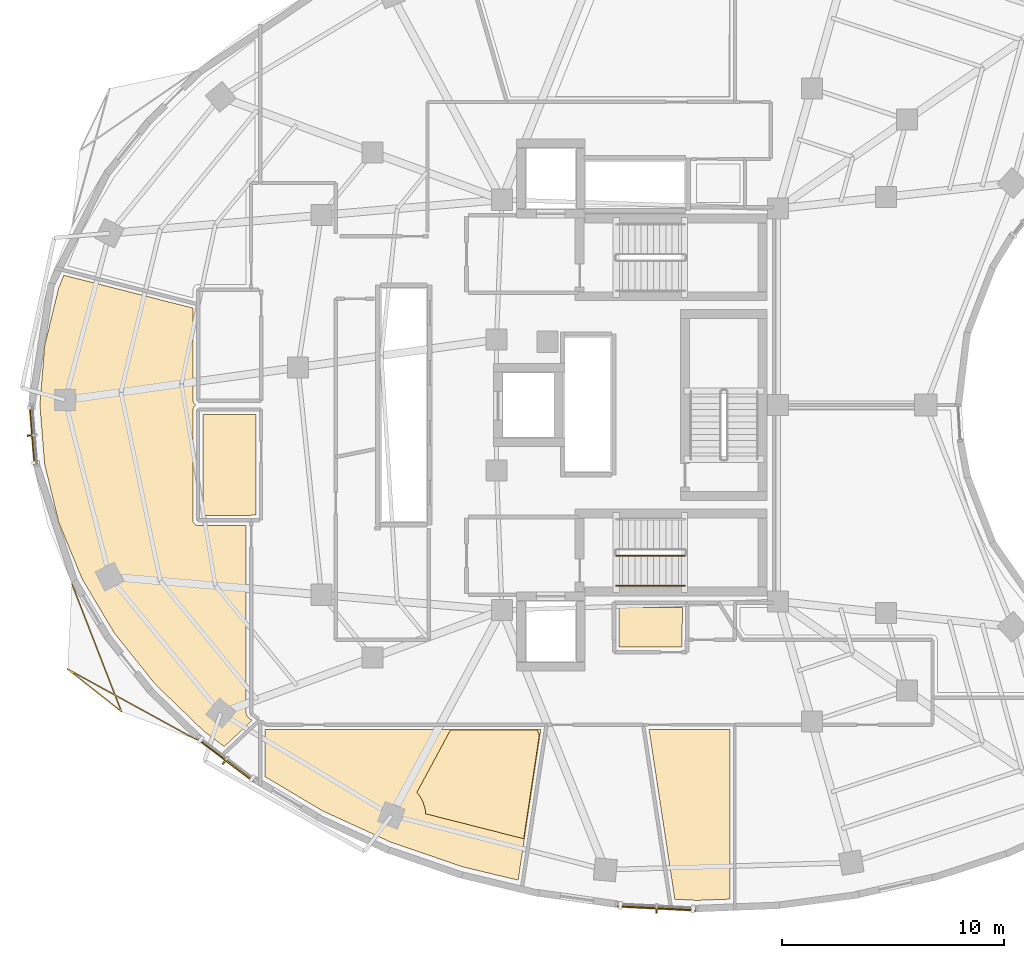
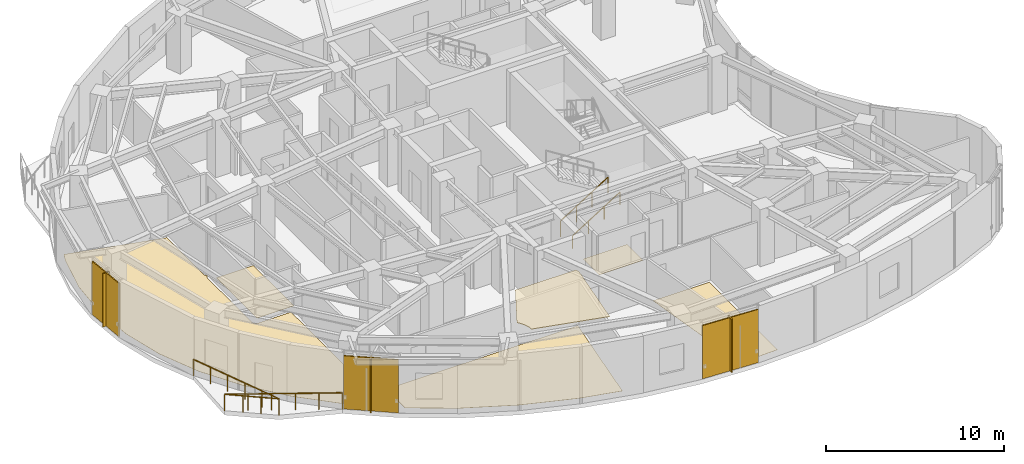
# One storey, part 13 of 15: 6 coverings, 6 shading devices, 3 railings.
"""IFC4 building model written with IfcOpenShell, lengths in metres."""

from ifc_helpers import new_model, si_unit, direction, frame, origin, origin_2d, place, context, subcontext, project, spatial, polyline, rectangle, outline, extrude, material, layer, layer_set, type_object, element, save


model = new_model("IFC4")

# Units and contexts
model_context = context("Model", 3, precision=1e-05, world=origin(), true_north=direction((0.0, 1.0)))
body_context = subcontext(model_context, "Body", "Model", "MODEL_VIEW")
ifc_project = project(units=[si_unit("LENGTHUNIT", "METRE"), si_unit("AREAUNIT", "SQUARE_METRE"), si_unit("VOLUMEUNIT", "CUBIC_METRE"), si_unit("PLANEANGLEUNIT", "RADIAN"), si_unit("MASSUNIT", "GRAM", prefix="KILO")], contexts=[model_context])

# Site, building, storey
site_placement = place(None, origin())
site = spatial("IfcSite", under=ifc_project, at=site_placement, CompositionType="ELEMENT")
building_placement = place(site_placement, origin())
building = spatial("IfcBuilding", under=site, at=building_placement, Name="Korentha Bioscience Tower", CompositionType="ELEMENT")
storey_placement = place(building_placement, frame((0.0, 0.0, 235.199951171875)))
storey = spatial("IfcBuildingStorey", under=building, at=storey_placement, Name="L54", CompositionType="ELEMENT", Elevation=235.199951171875)

# Railings
ifc_material_1 = material(Name="Stainless Steel 304", Category="steel")
railing_type_1 = type_object("IfcRailingType", Name="Brushed Stainless Stair Handrail 900", PredefinedType="HANDRAIL", material=ifc_material_1)
railing_1_placement = place(storey_placement, frame((30.25, 18.85009765625, 0.175048828125)))
element("IfcRailing", 1, at=railing_1_placement, inside=storey, type_object=railing_type_1, Name="L54 ST-2 stair handrail 1", PredefinedType="HANDRAIL", context=body_context, shape_type="SweptSolid", body=[
    extrude(rectangle(XDim=0.048095703125, YDim=0.048095703125, at=origin_2d()), frame((0.0, 0.0, 0.8759765625), z_axis=(0.847998304005, 0.0, 0.529998940003), x_axis=(0.0, 1.0, 0.0)), (0.0, 0.0, 1.0), 3.632080078125),
    extrude(rectangle(XDim=0.0419921875, YDim=0.0419921875, at=origin_2d()), origin(), (0.0, 0.0, 1.0), 0.851806640625),
    extrude(rectangle(XDim=0.0419921875, YDim=0.0419921875, at=origin_2d()), frame((1.026611328125, 0.0, 0.6416015625)), (0.0, 0.0, 1.0), 0.851806640625),
    extrude(rectangle(XDim=0.0419921875, YDim=0.0419921875, at=origin_2d()), frame((2.053466796875, 0.0, 1.283447265625)), (0.0, 0.0, 1.0), 0.851806640625),
    extrude(rectangle(XDim=0.0419921875, YDim=0.0419921875, at=origin_2d()), frame((3.080078125, 0.0, 1.925048828125)), (0.0, 0.0, 1.0), 0.851806640625),
])
ifc_material_2 = material(Name="Laminated Tempered Safety Glass", Category="glass")
railing_type_2 = type_object("IfcRailingType", Name="Laminated Glass Balcony Guardrail 1150", PredefinedType="BALUSTRADE", material=ifc_material_2)
railing_2_placement = place(storey_placement, frame((5.711181640625, 18.9375, 0.0)))
element("IfcRailing", 2, at=railing_2_placement, inside=storey, type_object=railing_type_2, Name="L54 Balcony Guardrail 03", PredefinedType="BALUSTRADE", context=body_context, shape_type="SweptSolid", body=[
    extrude(rectangle(XDim=0.048095703125, YDim=0.048095703125, at=origin_2d()), frame((0.0, 0.0, 1.1259765625), z_axis=(0.361866894475, -0.932229773545, 0.0), x_axis=(0.932229773545, 0.361866894475, 0.0)), (0.0, 0.0, 1.0), 6.1826171875),
    extrude(rectangle(XDim=0.048095703125, YDim=0.048095703125, at=origin_2d()), frame((2.2373046875, -5.763671875, 1.1259765625), z_axis=(-0.784759450573, 0.619800455579, 0.0), x_axis=(-0.619800455579, -0.784759450573, 0.0)), (0.0, 0.0, 1.0), 3.091796875),
    extrude(rectangle(XDim=0.048095703125, YDim=0.048095703125, at=origin_2d()), frame((-0.18896484375, -3.847412109375, 1.1259765625), z_axis=(0.877008129023, -0.480475536971, 0.0), x_axis=(0.480475536971, 0.877008129023, 0.0)), (0.0, 0.0, 1.0), 6.61376953125),
    extrude(rectangle(XDim=0.0419921875, YDim=0.0419921875, at=origin_2d()), origin(), (0.0, 0.0, 1.0), 1.101806640625),
    extrude(rectangle(XDim=0.0419921875, YDim=0.0419921875, at=origin_2d()), frame((0.447509765625, -1.15283203125, 0.0)), (0.0, 0.0, 1.0), 1.101806640625),
    extrude(rectangle(XDim=0.0419921875, YDim=0.0419921875, at=origin_2d()), frame((0.89501953125, -2.305419921875, 0.0)), (0.0, 0.0, 1.0), 1.101806640625),
    extrude(rectangle(XDim=0.0419921875, YDim=0.0419921875, at=origin_2d()), frame((1.34228515625, -3.458251953125, 0.0)), (0.0, 0.0, 1.0), 1.101806640625),
    extrude(rectangle(XDim=0.0419921875, YDim=0.0419921875, at=origin_2d()), frame((1.789794921875, -4.61083984375, 0.0)), (0.0, 0.0, 1.0), 1.101806640625),
    extrude(rectangle(XDim=0.0419921875, YDim=0.0419921875, at=origin_2d()), frame((2.2373046875, -5.763671875, 0.0)), (0.0, 0.0, 1.0), 1.101806640625),
    extrude(rectangle(XDim=0.0419921875, YDim=0.0419921875, at=origin_2d()), frame((1.428466796875, -5.125, 0.0)), (0.0, 0.0, 1.0), 1.101806640625),
    extrude(rectangle(XDim=0.0419921875, YDim=0.0419921875, at=origin_2d()), frame((0.619873046875, -4.486083984375, 0.0)), (0.0, 0.0, 1.0), 1.101806640625),
    extrude(rectangle(XDim=0.0419921875, YDim=0.0419921875, at=origin_2d()), frame((-0.18896484375, -3.847412109375, 0.0)), (0.0, 0.0, 1.0), 1.101806640625),
    extrude(rectangle(XDim=0.0419921875, YDim=0.0419921875, at=origin_2d()), frame((0.97119140625, -4.48291015625, 0.0)), (0.0, 0.0, 1.0), 1.101806640625),
    extrude(rectangle(XDim=0.0419921875, YDim=0.0419921875, at=origin_2d()), frame((2.131103515625, -5.118408203125, 0.0)), (0.0, 0.0, 1.0), 1.101806640625),
    extrude(rectangle(XDim=0.0419921875, YDim=0.0419921875, at=origin_2d()), frame((3.291259765625, -5.754150390625, 0.0)), (0.0, 0.0, 1.0), 1.101806640625),
    extrude(rectangle(XDim=0.0419921875, YDim=0.0419921875, at=origin_2d()), frame((4.451171875, -6.3896484375, 0.0)), (0.0, 0.0, 1.0), 1.101806640625),
    extrude(rectangle(XDim=0.0419921875, YDim=0.0419921875, at=origin_2d()), frame((5.611328125, -7.025146484375, 0.0)), (0.0, 0.0, 1.0), 1.101806640625),
])

# Covering
ifc_material_3 = material(Name="Antimicrobial Mineral Fibre Board", Category="gypsum")
ifc_layer_1 = layer(ifc_material_3, 0.034912109375, Name="Antimicrobial Mineral Fibre Board")
ifc_layer_set_1 = layer_set([ifc_layer_1], Name="Antimicrobial Mineral Fibre Board (CL-MF35)")
covering_type_1 = type_object("IfcCoveringType", Name="Mineral-Fibre Cleanroom Suspended Ceiling 35", PredefinedType="CEILING", material=ifc_layer_set_1)
covering_1_placement = place(storey_placement, frame((0.0, 0.0, 3.864990234375)))
element("IfcCovering", 3, at=covering_1_placement, inside=storey, type_object=covering_type_1, Name="L54 Biomechanical Motion Analysis Lab 03 Acoustic Ceiling", PredefinedType="CEILING", context=body_context, shape_type="SweptSolid", body=[
    extrude(outline(polyline([(26.78271484375, 12.118408203125), (26.0791015625, 7.44775390625), (21.65966796875, 8.57080078125), (21.63330078125, 8.80224609375), (21.545166015625, 9.093017578125), (21.402099609375, 9.361083984375), (21.262939453125, 9.53662109375), (22.774169921875, 12.340087890625), (26.694580078125, 12.340087890625), (26.78271484375, 12.118408203125)])), origin(), (0.0, 0.0, 1.0), 0.03515625),
])

# Railing
ifc_material_4 = material(Name="Painted Steel S275", Category="steel")
railing_type_3 = type_object("IfcRailingType", Name="Painted Steel Stair Well Guardrail 1100", PredefinedType="GUARDRAIL", material=ifc_material_4)
railing_3_placement = place(storey_placement, frame((30.25, 20.199951171875, 0.175048828125)))
element("IfcRailing", 4, at=railing_3_placement, inside=storey, type_object=railing_type_3, Name="L54 ST-2 stair guard 1", PredefinedType="GUARDRAIL", context=body_context, shape_type="SweptSolid", body=[
    extrude(rectangle(XDim=0.048095703125, YDim=0.048095703125, at=origin_2d()), frame((0.0, 0.0, 1.076171875), z_axis=(0.847998304005, 0.0, 0.529998940003), x_axis=(0.0, 1.0, 0.0)), (0.0, 0.0, 1.0), 3.632080078125),
    extrude(rectangle(XDim=0.0419921875, YDim=0.0419921875, at=origin_2d()), origin(), (0.0, 0.0, 1.0), 1.052001953125),
    extrude(rectangle(XDim=0.0419921875, YDim=0.0419921875, at=origin_2d()), frame((1.026611328125, 0.0, 0.6416015625)), (0.0, 0.0, 1.0), 1.052001953125),
    extrude(rectangle(XDim=0.0419921875, YDim=0.0419921875, at=origin_2d()), frame((2.053466796875, 0.0, 1.283447265625)), (0.0, 0.0, 1.0), 1.052001953125),
    extrude(rectangle(XDim=0.0419921875, YDim=0.0419921875, at=origin_2d()), frame((3.080078125, 0.0, 1.925048828125)), (0.0, 0.0, 1.0), 1.052001953125),
])

# Shading devices
ifc_material_5 = material(Name="Perforated Stone-Ceramic Composite", Category="masonry")
ifc_layer_2 = layer(ifc_material_5, 0.06494140625, Name="Perforated Stone-Ceramic Composite")
ifc_layer_set_2 = layer_set([ifc_layer_2], Name="Perforated Stone-Ceramic Composite (CS-01)")
shading_device_type_1 = type_object("IfcShadingDeviceType", Name="Perforated Stone-Ceramic Solar Screen Panel 65", PredefinedType="USERDEFINED", material=ifc_layer_set_2)
shading_device_1_placement = place(storey_placement, frame((3.926513671875, 25.634765625, 0.0), z_axis=(0.0, 0.0, 1.0), x_axis=(0.07974803224, -0.996815053736, 0.0)))
element("IfcShadingDevice", 5, at=shading_device_1_placement, inside=storey, type_object=shading_device_type_1, Name="CW-L54-19 Perforated Stone-Ceramic Solar Screen", ObjectType="SCREEN", PredefinedType="USERDEFINED", context=body_context, shape_type="SweptSolid", body=[
    extrude(rectangle(XDim=2.64892578125, YDim=0.06494140625, at=origin_2d()), origin(), (0.0, 0.0, 1.0), 3.64990234375),
])
shading_device_2_placement = place(storey_placement, frame((12.64404296875, 10.98583984375, 0.0), z_axis=(0.0, 0.0, 1.0), x_axis=(0.796889131105, -0.604125576951, 0.0)))
element("IfcShadingDevice", 6, at=shading_device_2_placement, inside=storey, type_object=shading_device_type_1, Name="CW-L54-25 Perforated Stone-Ceramic Solar Screen", ObjectType="SCREEN", PredefinedType="USERDEFINED", context=body_context, shape_type="SweptSolid", body=[
    extrude(rectangle(XDim=3.12548828125, YDim=0.06494140625, at=origin_2d()), origin(), (0.0, 0.0, 1.0), 3.64990234375),
])
shading_device_3_placement = place(storey_placement, frame((32.072998046875, 4.308837890625, 0.0), z_axis=(0.0, 0.0, 1.0), x_axis=(0.998695818107, -0.051055488397, 0.0)))
element("IfcShadingDevice", 7, at=shading_device_3_placement, inside=storey, type_object=shading_device_type_1, Name="CW-L54-31 Perforated Stone-Ceramic Solar Screen", ObjectType="SCREEN", PredefinedType="USERDEFINED", context=body_context, shape_type="SweptSolid", body=[
    extrude(rectangle(XDim=3.54541015625, YDim=0.06494140625, at=origin_2d()), origin(), (0.0, 0.0, 1.0), 3.64990234375),
])

# Coverings
ifc_material_6 = material(Name="Chemical-Resistant Epoxy Resin", Category="polymer")
ifc_layer_3 = layer(ifc_material_6, 0.011962890625, Name="Chemical-Resistant Epoxy Resin")
ifc_layer_set_3 = layer_set([ifc_layer_3], Name="Chemical-Resistant Epoxy Resin (FL-EPX)")
covering_type_2 = type_object("IfcCoveringType", Name="Seamless Epoxy Laboratory Flooring 12", PredefinedType="FLOORING", material=ifc_layer_set_3)
covering_2_placement = place(storey_placement, origin())
element("IfcCovering", 8, at=covering_2_placement, inside=storey, type_object=covering_type_2, Name="L54 Core Instrumentation and Gas Store Floor Finish", PredefinedType="FLOORING", context=body_context, shape_type="SweptSolid", body=[
    extrude(outline(polyline([(33.22998046875, 17.8701171875), (33.219970703125, 16.080078125), (30.3798828125, 16.080078125), (30.371337890625, 17.8701171875), (33.22998046875, 17.8701171875)])), origin(), (0.0, 0.0, 1.0), 0.011962890625),
])
covering_3_placement = place(storey_placement, origin())
element("IfcCovering", 9, at=covering_3_placement, inside=storey, type_object=covering_type_2, Name="L54 Reclaimed Bank-1 Cold Freezer Alcove Floor Finish", PredefinedType="FLOORING", context=body_context, shape_type="SweptSolid", body=[
    extrude(outline(polyline([(14.02001953125, 22.030029296875), (11.6201171875, 22.02099609375), (11.6201171875, 26.580078125), (14.02001953125, 26.580078125), (14.02001953125, 22.030029296875)])), origin(), (0.0, 0.0, 1.0), 0.011962890625),
])
covering_4_placement = place(storey_placement, origin())
element("IfcCovering", 10, at=covering_4_placement, inside=storey, type_object=covering_type_2, Name="L54 Staff Pantry Kitchenette 01 Floor Finish", PredefinedType="FLOORING", context=body_context, shape_type="SweptSolid", body=[
    extrude(outline(polyline([(4.4814453125, 29.6591796875), (5.1171875, 32.2822265625), (5.349609375, 32.8466796875), (11.169921875, 31.368896484375), (11.17041015625, 27.189208984375), (11.202880859375, 27.081298828125), (11.286865234375, 27.0), (11.202392578125, 26.917724609375), (11.169921875, 26.800048828125), (11.1767578125, 21.74462890625), (11.245849609375, 21.62939453125), (11.302001953125, 21.591796875), (11.38818359375, 21.5703125), (13.570068359375, 21.570068359375), (13.5703125, 13.084716796875), (13.619384765625, 12.95361328125), (13.834716796875, 12.781005859375), (12.578857421875, 11.60009765625), (11.655029296875, 12.30029296875), (9.45947265625, 14.422607421875), (7.62255859375, 16.722412109375), (6.168701171875, 19.166015625), (5.1171875, 21.717529296875), (4.4814453125, 24.3408203125), (4.26904296875, 26.99560546875), (4.4814453125, 29.6591796875)])), origin(), (0.0, 0.0, 1.0), 0.011962890625),
])
covering_5_placement = place(storey_placement, origin())
element("IfcCovering", 11, at=covering_5_placement, inside=storey, type_object=covering_type_2, Name="L54 Biomechanical Motion Analysis Lab 03 Floor Finish", PredefinedType="FLOORING", context=body_context, shape_type="SweptSolid", body=[
    extrude(outline(polyline([(14.422119140625, 12.372314453125), (26.85107421875, 12.3701171875), (25.827880859375, 5.580322265625), (23.330322265625, 6.1787109375), (20.05859375, 7.30322265625), (16.992919921875, 8.71337890625), (14.422119140625, 10.242431640625), (14.422119140625, 12.372314453125)])), origin(), (0.0, 0.0, 1.0), 0.011962890625),
])
covering_6_placement = place(storey_placement, origin())
element("IfcCovering", 12, at=covering_6_placement, inside=storey, type_object=covering_type_2, Name="L54 Clinical Trials Data Office 05 Floor Finish", PredefinedType="FLOORING", context=body_context, shape_type="SweptSolid", body=[
    extrude(outline(polyline([(31.729248046875, 12.3701171875), (35.3779296875, 12.3701171875), (35.3779296875, 4.72509765625), (33.893310546875, 4.66650390625), (32.889892578125, 4.7177734375), (31.729248046875, 12.3701171875)])), origin(), (0.0, 0.0, 1.0), 0.011962890625),
])

# Shading devices
ifc_material_7 = material(Name="Honed Travertine Limestone", Category="masonry")
ifc_layer_4 = layer(ifc_material_7, 0.080078125, Name="Honed Travertine Limestone")
ifc_layer_set_4 = layer_set([ifc_layer_4], Name="Honed Travertine Limestone (CS-02)")
shading_device_type_2 = type_object("IfcShadingDeviceType", Name="Vertical Honed Limestone Sunshade Fin 80x420", PredefinedType="USERDEFINED", material=ifc_layer_set_4)
for number, where, z_axis, x_axis, name in (
    (13, (3.906494140625, 25.63330078125, 0.0), (0.0, 0.0, 1.0), (0.07974803224, -0.996815053736, 0.0), "CW-L54-19 Limestone Sunshade Fin"),
    (14, (12.6318359375, 10.969970703125, 0.0), (0.0, 0.0, 1.0), (0.796889131105, -0.604125576951, 0.0), "CW-L54-25 Limestone Sunshade Fin"),
    (15, (32.072021484375, 4.2890625, 0.0), (0.0, 0.0, 1.0), (0.998695818107, -0.051055488397, 0.0), "CW-L54-31 Limestone Sunshade Fin"),
):
    element("IfcShadingDevice", number, at=place(storey_placement, frame(where, z_axis=z_axis, x_axis=x_axis)), inside=storey, type_object=shading_device_type_2, Name=name, ObjectType="SCREEN", PredefinedType="USERDEFINED", context=body_context, shape_type="SweptSolid", body=[
        extrude(rectangle(XDim=0.080078125, YDim=0.419921875, at=origin_2d()), origin(), (0.0, 0.0, 1.0), 3.64990234375),
    ])

save(model, "model.ifc")
